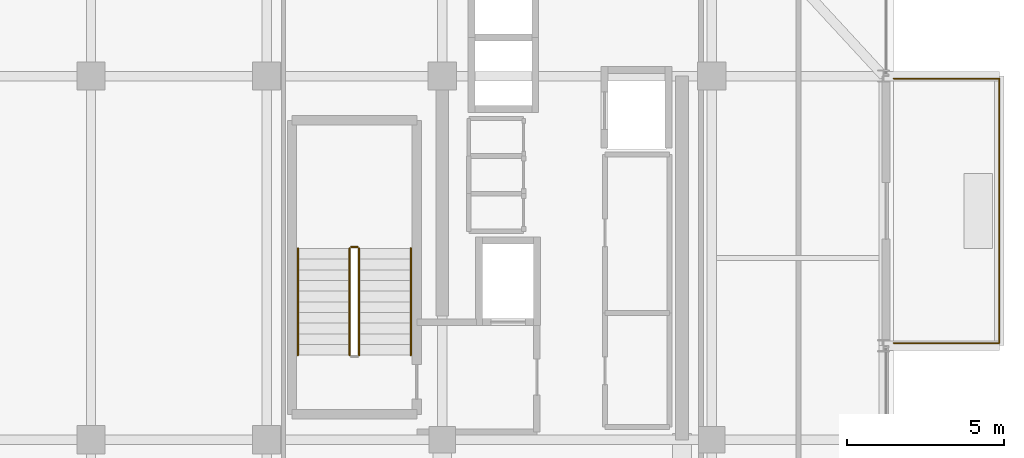
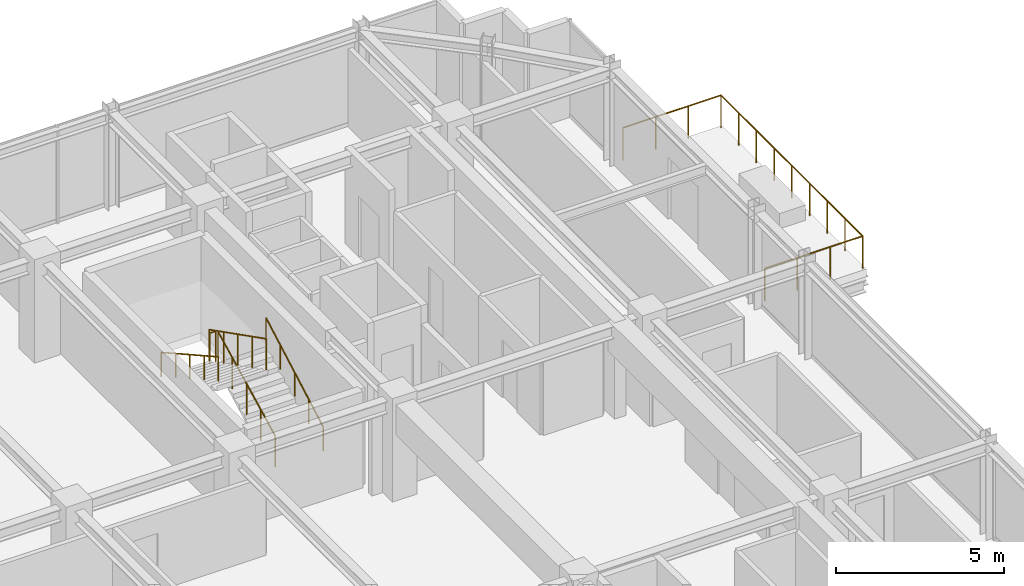
# One storey, part 32 of 33: 6 railings.
"""IFC4 building model written with IfcOpenShell, lengths in metres."""

from ifc_helpers import new_model, si_unit, direction, frame, origin, origin_2d, place, context, subcontext, project, spatial, circle, extrude, material, type_object, element, save


model = new_model("IFC4")

# Units and contexts
model_context = context("Model", 3, precision=1e-05, world=origin(), true_north=direction((0.0, 1.0)))
body_context = subcontext(model_context, "Body", "Model", "MODEL_VIEW")
ifc_project = project(units=[si_unit("LENGTHUNIT", "METRE"), si_unit("AREAUNIT", "SQUARE_METRE"), si_unit("VOLUMEUNIT", "CUBIC_METRE"), si_unit("PLANEANGLEUNIT", "RADIAN"), si_unit("MASSUNIT", "GRAM", prefix="KILO")], contexts=[model_context])

# Site, building, storey
site_placement = place(None, origin())
site = spatial("IfcSite", under=ifc_project, at=site_placement, CompositionType="ELEMENT")
building_placement = place(site_placement, origin())
building = spatial("IfcBuilding", under=site, at=building_placement, Name="Nahalor Promenade Grand Hotel", CompositionType="ELEMENT")
storey_placement = place(building_placement, frame((0.0, 0.0, 315.75)))
storey = spatial("IfcBuildingStorey", under=building, at=storey_placement, Name="L81", CompositionType="ELEMENT", Elevation=315.75)

# Railings
ifc_material_1 = material(Name="Anodised Bronze Aluminium EN AW-6063 T6", Category="aluminium")
railing_type_1 = type_object("IfcRailingType", Name="Bronze Balcony Guardrail 1200 mm", PredefinedType="GUARDRAIL", material=ifc_material_1)
railing_1_placement = place(storey_placement, frame((22.800048828125, 8.47998046875, 0.0)))
element("IfcRailing", 1, at=railing_1_placement, inside=storey, type_object=railing_type_1, Name="L81 Balcony Guardrail 2", PredefinedType="GUARDRAIL", context=body_context, shape_type="SweptSolid", body=[
    extrude(circle(Radius=0.024048, at=origin_2d()), frame((0.0, 0.0, 1.17578125), z_axis=(1.0, 0.0, 0.0), x_axis=(0.0, 1.0, 0.0)), (0.0, 0.0, 1.0), 3.367919921875),
    extrude(circle(Radius=0.024048, at=origin_2d()), frame((3.369873046875, 0.001953125, 1.17578125), z_axis=(0.0, 1.0, 0.0), x_axis=(-1.0, 0.0, 0.0)), (0.0, 0.0, 1.0), 8.43603515625),
    extrude(circle(Radius=0.024048, at=origin_2d()), frame((3.367919921875, 8.43994140625, 1.17578125), z_axis=(-1.0, 0.0, 0.0), x_axis=(0.0, -1.0, 0.0)), (0.0, 0.0, 1.0), 3.367919921875),
    extrude(circle(Radius=0.020996, at=origin_2d()), origin(), (0.0, 0.0, 1.0), 1.14990234375),
    extrude(circle(Radius=0.020996, at=origin_2d()), frame((1.123291015625, 0.0, 0.0)), (0.0, 0.0, 1.0), 1.14990234375),
    extrude(circle(Radius=0.020996, at=origin_2d()), frame((2.24658203125, 0.0, 0.0)), (0.0, 0.0, 1.0), 1.14990234375),
    extrude(circle(Radius=0.020996, at=origin_2d()), frame((3.369873046875, 0.0, 0.0)), (0.0, 0.0, 1.0), 1.14990234375),
    extrude(circle(Radius=0.020996, at=origin_2d()), frame((3.369873046875, 1.054931640625, 0.0)), (0.0, 0.0, 1.0), 1.14990234375),
    extrude(circle(Radius=0.020996, at=origin_2d()), frame((3.369873046875, 2.10986328125, 0.0)), (0.0, 0.0, 1.0), 1.14990234375),
    extrude(circle(Radius=0.020996, at=origin_2d()), frame((3.369873046875, 3.1650390625, 0.0)), (0.0, 0.0, 1.0), 1.14990234375),
    extrude(circle(Radius=0.020996, at=origin_2d()), frame((3.369873046875, 4.219970703125, 0.0)), (0.0, 0.0, 1.0), 1.14990234375),
    extrude(circle(Radius=0.020996, at=origin_2d()), frame((3.369873046875, 5.27490234375, 0.0)), (0.0, 0.0, 1.0), 1.14990234375),
    extrude(circle(Radius=0.020996, at=origin_2d()), frame((3.369873046875, 6.330078125, 0.0)), (0.0, 0.0, 1.0), 1.14990234375),
    extrude(circle(Radius=0.020996, at=origin_2d()), frame((3.369873046875, 7.385009765625, 0.0)), (0.0, 0.0, 1.0), 1.14990234375),
    extrude(circle(Radius=0.020996, at=origin_2d()), frame((3.369873046875, 8.43994140625, 0.0)), (0.0, 0.0, 1.0), 1.14990234375),
    extrude(circle(Radius=0.020996, at=origin_2d()), frame((2.24658203125, 8.43994140625, 0.0)), (0.0, 0.0, 1.0), 1.14990234375),
    extrude(circle(Radius=0.020996, at=origin_2d()), frame((1.123291015625, 8.43994140625, 0.0)), (0.0, 0.0, 1.0), 1.14990234375),
    extrude(circle(Radius=0.020996, at=origin_2d()), frame((0.0, 8.43994140625, 0.0)), (0.0, 0.0, 1.0), 1.14990234375),
])
ifc_material_2 = material(Name="Steel S355JR", Category="steel")
railing_type_2 = type_object("IfcRailingType", Name="Steel Stair Guardrail 1150 mm", PredefinedType="GUARDRAIL", material=ifc_material_2)
railing_2_placement = place(storey_placement, frame((5.75, 8.10009765625, 0.172607421875)))
element("IfcRailing", 2, at=railing_2_placement, inside=storey, type_object=railing_type_2, Name="L81 ST1 stair guard 1", PredefinedType="GUARDRAIL", context=body_context, shape_type="SweptSolid", body=[
    extrude(circle(Radius=0.024048, at=origin_2d()), frame((0.0, 0.0, 1.1259765625), z_axis=(0.0, 0.89154070688, 0.452940578858), x_axis=(-1.0, 0.0, 0.0)), (0.0, 0.0, 1.0), 3.8134765625),
    extrude(circle(Radius=0.020996, at=origin_2d()), origin(), (0.0, 0.0, 1.0), 1.099853515625),
    extrude(circle(Radius=0.020996, at=origin_2d()), frame((0.0, 0.85009765625, 0.431884765625)), (0.0, 0.0, 1.0), 1.099853515625),
    extrude(circle(Radius=0.020996, at=origin_2d()), frame((0.0, 1.699951171875, 0.86376953125)), (0.0, 0.0, 1.0), 1.099853515625),
    extrude(circle(Radius=0.020996, at=origin_2d()), frame((0.0, 2.5498046875, 1.29541015625)), (0.0, 0.0, 1.0), 1.099853515625),
    extrude(circle(Radius=0.020996, at=origin_2d()), frame((0.0, 3.39990234375, 1.727294921875)), (0.0, 0.0, 1.0), 1.099853515625),
])
railing_3_placement = place(storey_placement, frame((5.699951171875, 11.550048828125, 1.89990234375)))
element("IfcRailing", 3, at=railing_3_placement, inside=storey, type_object=railing_type_2, Name="L81 ST1 stair guard 2", PredefinedType="GUARDRAIL", context=body_context, shape_type="SweptSolid", body=[
    extrude(circle(Radius=0.024048, at=origin_2d()), frame((0.0, 0.0, 1.1259765625), z_axis=(-1.0, 0.0, 0.0), x_axis=(0.0, -1.0, 0.0)), (0.0, 0.0, 1.0), 0.199951171875),
    extrude(circle(Radius=0.020996, at=origin_2d()), origin(), (0.0, 0.0, 1.0), 1.099853515625),
    extrude(circle(Radius=0.020996, at=origin_2d()), frame((-0.199951171875, 0.0, 0.0)), (0.0, 0.0, 1.0), 1.099853515625),
])
railing_4_placement = place(storey_placement, frame((5.449951171875, 11.5, 2.07275390625)))
element("IfcRailing", 4, at=railing_4_placement, inside=storey, type_object=railing_type_2, Name="L81 ST1 stair guard 3", PredefinedType="GUARDRAIL", context=body_context, shape_type="SweptSolid", body=[
    extrude(circle(Radius=0.024048, at=origin_2d()), frame((0.0, 0.0, 1.1259765625), z_axis=(0.0, -0.89154070688, 0.452940578858), x_axis=(1.0, 0.0, 0.0)), (0.0, 0.0, 1.0), 3.8134765625),
    extrude(circle(Radius=0.020996, at=origin_2d()), origin(), (0.0, 0.0, 1.0), 1.099853515625),
    extrude(circle(Radius=0.020996, at=origin_2d()), frame((0.0, -0.85009765625, 0.431884765625)), (0.0, 0.0, 1.0), 1.099853515625),
    extrude(circle(Radius=0.020996, at=origin_2d()), frame((0.0, -1.699951171875, 0.86376953125)), (0.0, 0.0, 1.0), 1.099853515625),
    extrude(circle(Radius=0.020996, at=origin_2d()), frame((0.0, -2.5498046875, 1.29541015625)), (0.0, 0.0, 1.0), 1.099853515625),
    extrude(circle(Radius=0.020996, at=origin_2d()), frame((0.0, -3.39990234375, 1.727294921875)), (0.0, 0.0, 1.0), 1.099853515625),
])
railing_type_3 = type_object("IfcRailingType", Name="Steel Stair Handrail 900 mm", PredefinedType="HANDRAIL", material=ifc_material_2)
railing_5_placement = place(storey_placement, frame((7.39990234375, 8.10009765625, 0.172607421875)))
element("IfcRailing", 5, at=railing_5_placement, inside=storey, type_object=railing_type_3, Name="L81 ST1 stair handrail 1", PredefinedType="HANDRAIL", context=body_context, shape_type="SweptSolid", body=[
    extrude(circle(Radius=0.024048, at=origin_2d()), frame((0.0, 0.0, 0.8759765625), z_axis=(0.0, 0.872921498864, 0.487860694073), x_axis=(-1.0, 0.0, 0.0)), (0.0, 0.0, 1.0), 3.894775390625),
    extrude(circle(Radius=0.020996, at=origin_2d()), origin(), (0.0, 0.0, 1.0), 0.849853515625),
    extrude(circle(Radius=0.020996, at=origin_2d()), frame((0.0, 0.85009765625, 0.47509765625)), (0.0, 0.0, 1.0), 0.849853515625),
    extrude(circle(Radius=0.020996, at=origin_2d()), frame((0.0, 1.699951171875, 0.9501953125)), (0.0, 0.0, 1.0), 0.849853515625),
    extrude(circle(Radius=0.020996, at=origin_2d()), frame((0.0, 2.5498046875, 1.425048828125)), (0.0, 0.0, 1.0), 0.849853515625),
    extrude(circle(Radius=0.020996, at=origin_2d()), frame((0.0, 3.39990234375, 1.900146484375)), (0.0, 0.0, 1.0), 0.849853515625),
])
railing_6_placement = place(storey_placement, frame((3.800048828125, 11.5, 2.07275390625)))
element("IfcRailing", 6, at=railing_6_placement, inside=storey, type_object=railing_type_3, Name="L81 ST1 stair handrail 2", PredefinedType="HANDRAIL", context=body_context, shape_type="SweptSolid", body=[
    extrude(circle(Radius=0.024048, at=origin_2d()), frame((0.0, 0.0, 0.8759765625), z_axis=(0.0, -0.872948192752, 0.487812928048), x_axis=(1.0, 0.0, 0.0)), (0.0, 0.0, 1.0), 3.894775390625),
    extrude(circle(Radius=0.020996, at=origin_2d()), origin(), (0.0, 0.0, 1.0), 0.849853515625),
    extrude(circle(Radius=0.020996, at=origin_2d()), frame((0.0, -0.85009765625, 0.47509765625)), (0.0, 0.0, 1.0), 0.849853515625),
    extrude(circle(Radius=0.020996, at=origin_2d()), frame((0.0, -1.699951171875, 0.949951171875)), (0.0, 0.0, 1.0), 0.849853515625),
    extrude(circle(Radius=0.020996, at=origin_2d()), frame((0.0, -2.5498046875, 1.4248046875)), (0.0, 0.0, 1.0), 0.849853515625),
    extrude(circle(Radius=0.020996, at=origin_2d()), frame((0.0, -3.39990234375, 1.89990234375)), (0.0, 0.0, 1.0), 0.849853515625),
])

save(model, "model.ifc")
